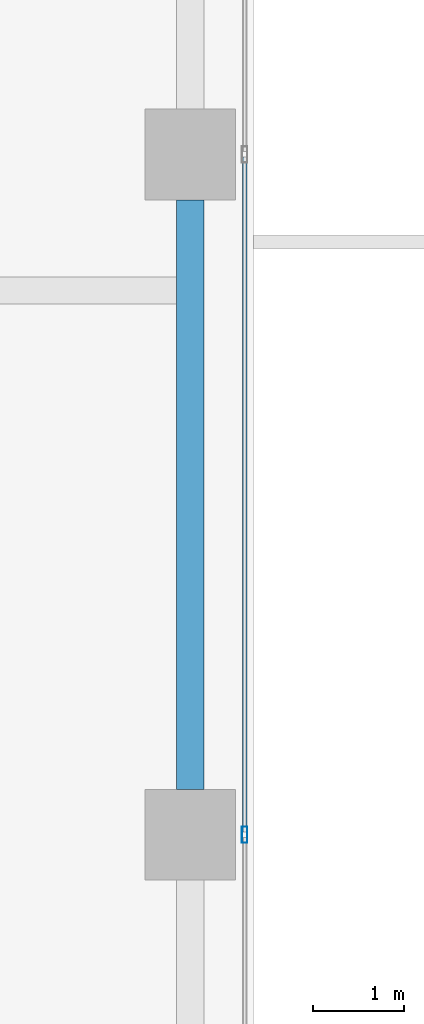
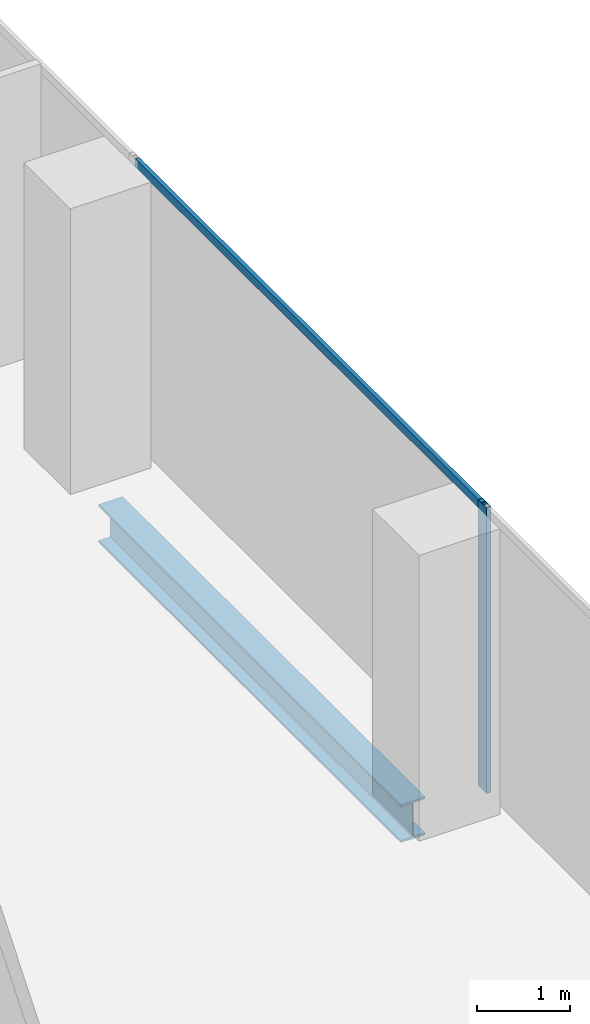
# One storey, part 24 of 40: 2 members, 1 beam, 1 element without a shape of its own.
"""IFC4 building model written with IfcOpenShell, lengths in metres."""

from ifc_helpers import new_model, si_unit, direction, frame, origin, origin_2d, place, context, subcontext, project, spatial, hollow_rectangle, i_section, extrude, source, transform, mapped, material, material_profile, profile_set, type_object, element, aggregate, save


model = new_model("IFC4")

# Units and contexts
model_context = context("Model", 3, precision=1e-05, world=origin(), true_north=direction((0.0, 1.0)))
body_context = subcontext(model_context, "Body", "Model", "MODEL_VIEW")
ifc_project = project(units=[si_unit("LENGTHUNIT", "METRE"), si_unit("AREAUNIT", "SQUARE_METRE"), si_unit("VOLUMEUNIT", "CUBIC_METRE"), si_unit("PLANEANGLEUNIT", "RADIAN"), si_unit("MASSUNIT", "GRAM", prefix="KILO")], contexts=[model_context])

# Site, building, storey
site_placement = place(None, origin())
site = spatial("IfcSite", under=ifc_project, at=site_placement, CompositionType="ELEMENT")
building_placement = place(site_placement, origin())
building = spatial("IfcBuilding", under=site, at=building_placement, Name="Khomas Fold Tower", CompositionType="ELEMENT")
storey_placement = place(building_placement, frame((0.0, 0.0, 204.699951171875)))
storey = spatial("IfcBuildingStorey", under=building, at=storey_placement, Name="L45", CompositionType="ELEMENT", Elevation=204.699951171875)

# Beam
ifc_material_1 = material(Name="Steel S355", Category="steel")
ifc_material_profile_1 = material_profile(ifc_material_1, i_section(OverallWidth=0.300048828125, OverallDepth=0.5, WebThickness=0.014404296875, FlangeThickness=0.028076171875, at=origin_2d()), Name="HE 500 B")
ifc_profile_set_1 = profile_set([ifc_material_profile_1], Name="Steel S355")
beam_type = type_object("IfcBeamType", Name="HE 500 B spandrel SB3", PredefinedType="SPANDREL", material=ifc_profile_set_1)
shared_shape_1 = source(origin(), body_context, "Body", "SweptSolid", [
    extrude(i_section(OverallWidth=0.300048828125, OverallDepth=0.5, WebThickness=0.014404296875, FlangeThickness=0.028076171875, at=origin_2d()), origin(), (0.0, 0.0, 1.0), 6.5),
])
beam_placement = place(storey_placement, frame((50.300048828125, 35.0, -0.5), z_axis=(0.0, 1.0, 0.0), x_axis=(-1.0, 0.0, 0.0)))
element("IfcBeam", 1, at=beam_placement, inside=storey, type_object=beam_type, Name="SB3", PredefinedType="SPANDREL", context=body_context, shape_type="MappedRepresentation", body=[
    mapped(shared_shape_1, transform((0.0, 0.0, 0.0))),
])

# Curtain wall, members
ifc_material_2 = material(Name="Aluminium framed double glazing", Category="aluminium")
curtain_wall_type = type_object("IfcCurtainWallType", Name="SK-Unitised clear-glass wall, office floors CW2", PredefinedType="NOTDEFINED", material=ifc_material_2)
curtain_wall_placement = place(storey_placement, origin())
curtain_wall = element("IfcCurtainWall", 2, at=curtain_wall_placement, inside=storey, type_object=curtain_wall_type, Name="CW2 run L45 03-1", PredefinedType="NOTDEFINED")
ifc_material_3 = material(Name="Aluminium", Category="aluminium")
ifc_material_profile_2 = material_profile(ifc_material_3, hollow_rectangle(XDim=0.06005859375, YDim=0.179931640625, WallThickness=0.00390625, at=origin_2d()), Name="SK-Unitised clear-glass wall, office floors mullion CW2-M")
ifc_profile_set_2 = profile_set([ifc_material_profile_2], Name="Aluminium")
member_type_1 = type_object("IfcMemberType", Name="SK-Unitised clear-glass wall, office floors mullion CW2-M", PredefinedType="MULLION", material=ifc_profile_set_2)
shared_shape_2 = source(origin(), body_context, "Body", "SweptSolid", [
    extrude(hollow_rectangle(XDim=0.06005859375, YDim=0.179931640625, WallThickness=0.00390625, at=origin_2d()), origin(), (0.0, 0.0, 1.0), 3.75),
])
member_1_placement = place(storey_placement, frame((50.89990234375, 34.5, 0.0), z_axis=(0.0, 0.0, 1.0), x_axis=(-1.0, 0.0, 0.0)))
member_1 = element("IfcMember", 3, at=member_1_placement, type_object=member_type_1, Name="CW2 mullion 3", PredefinedType="MULLION", context=body_context, shape_type="MappedRepresentation", body=[
    mapped(shared_shape_2, transform((0.0, 0.0, 0.0))),
])
ifc_material_4 = material(Name="Aluminium", Category="aluminium")
ifc_material_profile_3 = material_profile(ifc_material_4, hollow_rectangle(XDim=0.050048828125, YDim=0.110107421875, WallThickness=0.00390625, at=origin_2d()), Name="SK-Unitised clear-glass wall, office floors transom CW2-T")
ifc_profile_set_3 = profile_set([ifc_material_profile_3], Name="Aluminium")
member_type_2 = type_object("IfcMemberType", Name="SK-Unitised clear-glass wall, office floors transom CW2-T", PredefinedType="USERDEFINED", material=ifc_profile_set_3)
shared_shape_3 = source(origin(), body_context, "Body", "SweptSolid", [
    extrude(hollow_rectangle(XDim=0.050048828125, YDim=0.110107421875, WallThickness=0.00390625, at=origin_2d()), origin(), (0.0, 0.0, 1.0), 7.43994140625),
])
member_2_placement = place(storey_placement, frame((50.89990234375, 34.530029296875, 3.695068359375), z_axis=(0.0, 1.0, 0.0), x_axis=(-1.0, 0.0, 0.0)))
member_2 = element("IfcMember", 4, at=member_2_placement, type_object=member_type_2, Name="CW2 transom 3", ObjectType="TRANSOM", PredefinedType="USERDEFINED", context=body_context, shape_type="MappedRepresentation", body=[
    mapped(shared_shape_3, transform((0.0, 0.0, 0.0))),
])
aggregate(curtain_wall, [member_1, member_2])

save(model, "model.ifc")
